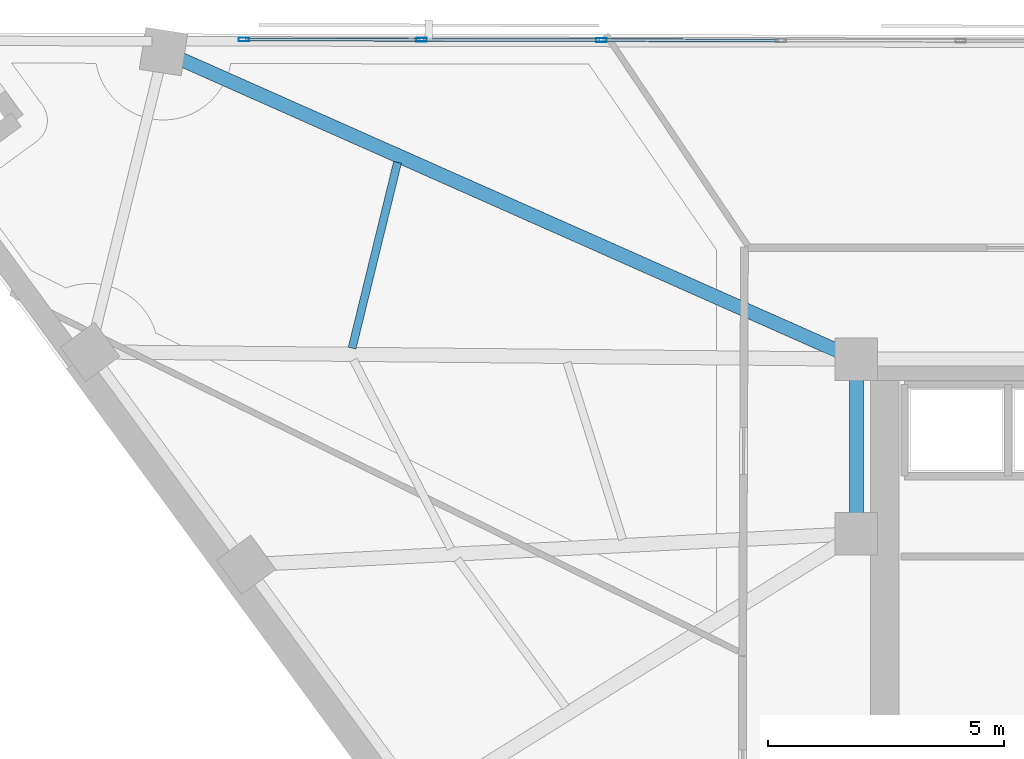
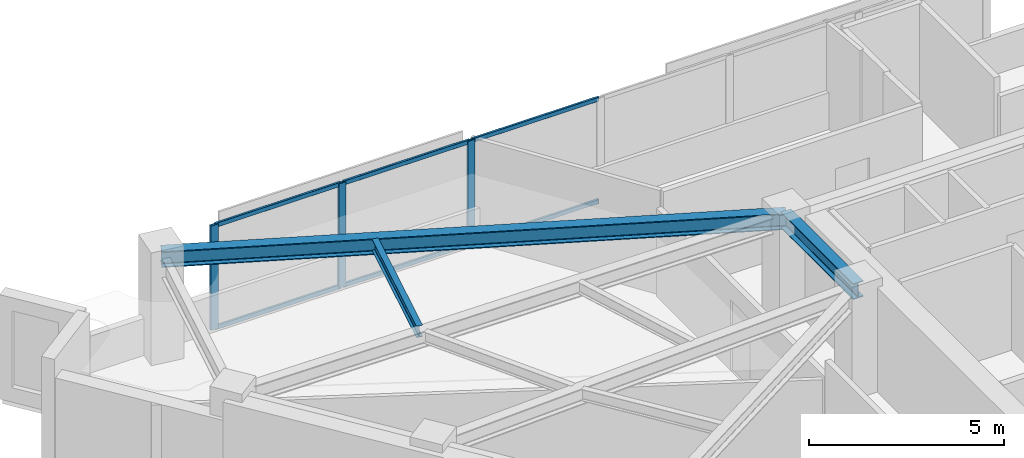
# One storey, part 2 of 13: 9 members, 3 beams, 1 element without a shape of its own.
"""IFC4 building model written with IfcOpenShell, lengths in metres."""

from ifc_helpers import new_model, si_unit, direction, frame, origin, origin_2d, place, context, subcontext, project, spatial, hollow_rectangle, i_section, extrude, material, material_profile, profile_set, type_object, element, aggregate, save


model = new_model("IFC4")

# Units and contexts
model_context = context("Model", 3, precision=1e-05, world=origin(), true_north=direction((0.0, 1.0)))
body_context = subcontext(model_context, "Body", "Model", "MODEL_VIEW")
ifc_project = project(units=[si_unit("LENGTHUNIT", "METRE"), si_unit("AREAUNIT", "SQUARE_METRE"), si_unit("VOLUMEUNIT", "CUBIC_METRE"), si_unit("PLANEANGLEUNIT", "RADIAN"), si_unit("MASSUNIT", "GRAM", prefix="KILO")], contexts=[model_context])

# Site, building, storey
site_placement = place(None, origin())
site = spatial("IfcSite", under=ifc_project, at=site_placement, CompositionType="ELEMENT")
building_placement = place(site_placement, origin())
building = spatial("IfcBuilding", under=site, at=building_placement, Name="Narakoshi Arena Tower", CompositionType="ELEMENT")
storey_placement = place(building_placement, frame((0.0, 0.0, 257.219970703125)))
storey = spatial("IfcBuildingStorey", under=building, at=storey_placement, Name="L70", CompositionType="ELEMENT", Elevation=257.219970703125)

# Beams
ifc_material_1 = material(Name="Structural steel S355J2", Category="steel")
ifc_material_profile_1 = material_profile(ifc_material_1, i_section(OverallWidth=0.300048828125, OverallDepth=0.5, WebThickness=0.014404296875, FlangeThickness=0.028076171875, FilletRadius=0.027099609375, at=origin_2d()), Name="HE500B")
ifc_profile_set_1 = profile_set([ifc_material_profile_1], Name="Structural steel S355J2")
beam_type_1 = type_object("IfcBeamType", Name="BM-PRI-500", PredefinedType="BEAM", material=ifc_profile_set_1)
beam_1_placement = place(storey_placement, frame((72.0, 56.5, 3.010009765625), z_axis=(-0.914014379094, 0.405681790089, 0.0), x_axis=(-0.405681790089, -0.914014379094, 0.0)))
element("IfcBeam", 1, at=beam_1_placement, inside=storey, type_object=beam_type_1, Name="L70 Radial Primary Floor Girder 08", PredefinedType="BEAM", context=body_context, shape_type="SweptSolid", body=[
    extrude(i_section(OverallWidth=0.300048828125, OverallDepth=0.5, WebThickness=0.014404296875, FlangeThickness=0.028076171875, FilletRadius=0.027099609375, at=origin_2d()), origin(), (0.0, 0.0, 1.0), 16.072998046875),
])
beam_2_placement = place(storey_placement, frame((72.0, 52.800048828125, 3.010009765625), z_axis=(0.0, 1.0, 0.0), x_axis=(-1.0, 0.0, 0.0)))
element("IfcBeam", 2, at=beam_2_placement, inside=storey, type_object=beam_type_1, Name="L70 Core Perimeter Frame Beam CC4-CC5", PredefinedType="BEAM", context=body_context, shape_type="SweptSolid", body=[
    extrude(i_section(OverallWidth=0.300048828125, OverallDepth=0.5, WebThickness=0.014404296875, FlangeThickness=0.028076171875, FilletRadius=0.027099609375, at=origin_2d()), origin(), (0.0, 0.0, 1.0), 3.699951171875),
])
ifc_material_profile_2 = material_profile(ifc_material_1, i_section(OverallWidth=0.169921875, OverallDepth=0.360107421875, WebThickness=0.008056640625, FlangeThickness=0.0126953125, FilletRadius=0.01806640625, at=origin_2d()), Name="IPE360")
ifc_profile_set_2 = profile_set([ifc_material_profile_2], Name="Structural steel S355J2")
beam_type_2 = type_object("IfcBeamType", Name="BM-SEC-360", PredefinedType="JOIST", material=ifc_profile_set_2)
beam_3_placement = place(storey_placement, frame((62.27197265625, 60.672607421875, 3.080078125), z_axis=(-0.237419008325, -0.971407337056, 0.0), x_axis=(0.971407337056, -0.237419008325, 0.0)))
element("IfcBeam", 3, at=beam_3_placement, inside=storey, type_object=beam_type_2, Name="L70 Composite Secondary Floor Joist 07", PredefinedType="JOIST", context=body_context, shape_type="SweptSolid", body=[
    extrude(i_section(OverallWidth=0.169921875, OverallDepth=0.360107421875, WebThickness=0.008056640625, FlangeThickness=0.0126953125, FilletRadius=0.01806640625, at=origin_2d()), origin(), (0.0, 0.0, 1.0), 4.0556640625),
])

# Curtain wall, members
ifc_material_2 = material(Name="Anodised bronze aluminium 6063-T6", Category="aluminium")
curtain_wall_type = type_object("IfcCurtainWallType", Name="CW-HYP-HIGH", PredefinedType="NOTDEFINED", material=ifc_material_2)
curtain_wall_placement = place(storey_placement, origin())
curtain_wall = element("IfcCurtainWall", 4, at=curtain_wall_placement, inside=storey, type_object=curtain_wall_type, Name="L70 Folded Hypotenuse Curtain Wall 2-1", PredefinedType="NOTDEFINED")
ifc_material_profile_3 = material_profile(ifc_material_2, hollow_rectangle(XDim=0.080078125, YDim=0.219970703125, WallThickness=0.0048828125, OuterFilletRadius=0.006103515625, at=origin_2d()), Name="MUL220x80x5")
ifc_profile_set_3 = profile_set([ifc_material_profile_3], Name="Anodised bronze aluminium 6063-T6")
member_type_1 = type_object("IfcMemberType", Name="MEM-MUL-220", PredefinedType="MULLION", material=ifc_profile_set_3)
member_1_placement = place(storey_placement, frame((66.59326171875, 63.263671875, 0.0), z_axis=(0.0, 0.0, 1.0), x_axis=(-0.001819896899, -0.999998343986, 0.0)))
member_1 = element("IfcMember", 5, at=member_1_placement, type_object=member_type_1, Name="CW-03 mullion 5", PredefinedType="MULLION", context=body_context, shape_type="SweptSolid", body=[
    extrude(hollow_rectangle(XDim=0.080078125, YDim=0.219970703125, WallThickness=0.0048828125, OuterFilletRadius=0.006103515625, at=origin_2d()), origin(), (0.0, 0.0, 1.0), 3.260009765625),
])
member_2_placement = place(storey_placement, frame((62.78369140625, 63.270751953125, 0.0), z_axis=(0.0, 0.0, 1.0), x_axis=(-0.001819896899, -0.999998343986, 0.0)))
member_2 = element("IfcMember", 6, at=member_2_placement, type_object=member_type_1, Name="CW-03 mullion 6", PredefinedType="MULLION", context=body_context, shape_type="SweptSolid", body=[
    extrude(hollow_rectangle(XDim=0.080078125, YDim=0.219970703125, WallThickness=0.0048828125, OuterFilletRadius=0.006103515625, at=origin_2d()), origin(), (0.0, 0.0, 1.0), 3.260009765625),
])
member_3_placement = place(storey_placement, frame((59.013916015625, 63.277587890625, 0.0), z_axis=(0.0, 0.0, 1.0), x_axis=(-0.001819896899, -0.999998343986, 0.0)))
member_3 = element("IfcMember", 7, at=member_3_placement, type_object=member_type_1, Name="CW-03 mullion 7", PredefinedType="MULLION", context=body_context, shape_type="SweptSolid", body=[
    extrude(hollow_rectangle(XDim=0.080078125, YDim=0.219970703125, WallThickness=0.0048828125, OuterFilletRadius=0.006103515625, at=origin_2d()), origin(), (0.0, 0.0, 1.0), 3.260009765625),
])
ifc_material_profile_4 = material_profile(ifc_material_2, hollow_rectangle(XDim=0.06494140625, YDim=0.1298828125, WallThickness=0.00390625, OuterFilletRadius=0.0048828125, at=origin_2d()), Name="TRN130x65x4")
ifc_profile_set_4 = profile_set([ifc_material_profile_4], Name="Anodised bronze aluminium 6063-T6")
member_type_2 = type_object("IfcMemberType", Name="MEM-TRN-130", PredefinedType="USERDEFINED", material=ifc_profile_set_4)
member_4_placement = place(storey_placement, frame((70.363037109375, 63.2568359375, 0.032470703125), z_axis=(-0.999998320389, 0.001832817502, 0.0), x_axis=(-0.001832817502, -0.999998320389, 0.0)))
member_4 = element("IfcMember", 8, at=member_4_placement, type_object=member_type_2, Name="CW-03 transom 4.1", ObjectType="TRANSOM", PredefinedType="USERDEFINED", context=body_context, shape_type="SweptSolid", body=[
    extrude(hollow_rectangle(XDim=0.06494140625, YDim=0.1298828125, WallThickness=0.00390625, OuterFilletRadius=0.0048828125, at=origin_2d()), origin(), (0.0, 0.0, 1.0), 3.729736328125),
])
member_5_placement = place(storey_placement, frame((70.363037109375, 63.2568359375, 3.2275390625), z_axis=(-0.999998320389, 0.001832817502, 0.0), x_axis=(-0.001832817502, -0.999998320389, 0.0)))
member_5 = element("IfcMember", 9, at=member_5_placement, type_object=member_type_2, Name="CW-03 transom 4.2", ObjectType="TRANSOM", PredefinedType="USERDEFINED", context=body_context, shape_type="SweptSolid", body=[
    extrude(hollow_rectangle(XDim=0.06494140625, YDim=0.1298828125, WallThickness=0.00390625, OuterFilletRadius=0.0048828125, at=origin_2d()), origin(), (0.0, 0.0, 1.0), 3.729736328125),
])
member_6_placement = place(storey_placement, frame((66.553466796875, 63.263916015625, 0.032470703125), z_axis=(-0.999998438218, 0.001767359942, 0.0), x_axis=(-0.001767359942, -0.999998438218, 0.0)))
member_6 = element("IfcMember", 10, at=member_6_placement, type_object=member_type_2, Name="CW-03 transom 5.1", ObjectType="TRANSOM", PredefinedType="USERDEFINED", context=body_context, shape_type="SweptSolid", body=[
    extrude(hollow_rectangle(XDim=0.06494140625, YDim=0.1298828125, WallThickness=0.00390625, OuterFilletRadius=0.0048828125, at=origin_2d()), origin(), (0.0, 0.0, 1.0), 3.729736328125),
])
member_7_placement = place(storey_placement, frame((66.553466796875, 63.263916015625, 3.2275390625), z_axis=(-0.999998438218, 0.001767359942, 0.0), x_axis=(-0.001767359942, -0.999998438218, 0.0)))
member_7 = element("IfcMember", 11, at=member_7_placement, type_object=member_type_2, Name="CW-03 transom 5.2", ObjectType="TRANSOM", PredefinedType="USERDEFINED", context=body_context, shape_type="SweptSolid", body=[
    extrude(hollow_rectangle(XDim=0.06494140625, YDim=0.1298828125, WallThickness=0.00390625, OuterFilletRadius=0.0048828125, at=origin_2d()), origin(), (0.0, 0.0, 1.0), 3.729736328125),
])
member_8_placement = place(storey_placement, frame((62.74365234375, 63.270751953125, 0.032470703125), z_axis=(-0.999998404139, 0.001786538537, 0.0), x_axis=(-0.001786538537, -0.999998404139, 0.0)))
member_8 = element("IfcMember", 12, at=member_8_placement, type_object=member_type_2, Name="CW-03 transom 6.1", ObjectType="TRANSOM", PredefinedType="USERDEFINED", context=body_context, shape_type="SweptSolid", body=[
    extrude(hollow_rectangle(XDim=0.06494140625, YDim=0.1298828125, WallThickness=0.00390625, OuterFilletRadius=0.0048828125, at=origin_2d()), origin(), (0.0, 0.0, 1.0), 3.689697265625),
])
member_9_placement = place(storey_placement, frame((62.74365234375, 63.270751953125, 3.2275390625), z_axis=(-0.999998404139, 0.001786538537, 0.0), x_axis=(-0.001786538537, -0.999998404139, 0.0)))
member_9 = element("IfcMember", 13, at=member_9_placement, type_object=member_type_2, Name="CW-03 transom 6.2", ObjectType="TRANSOM", PredefinedType="USERDEFINED", context=body_context, shape_type="SweptSolid", body=[
    extrude(hollow_rectangle(XDim=0.06494140625, YDim=0.1298828125, WallThickness=0.00390625, OuterFilletRadius=0.0048828125, at=origin_2d()), origin(), (0.0, 0.0, 1.0), 3.689697265625),
])
aggregate(curtain_wall, [member_1, member_2, member_3, member_4, member_5, member_6, member_7, member_8, member_9])

save(model, "model.ifc")
